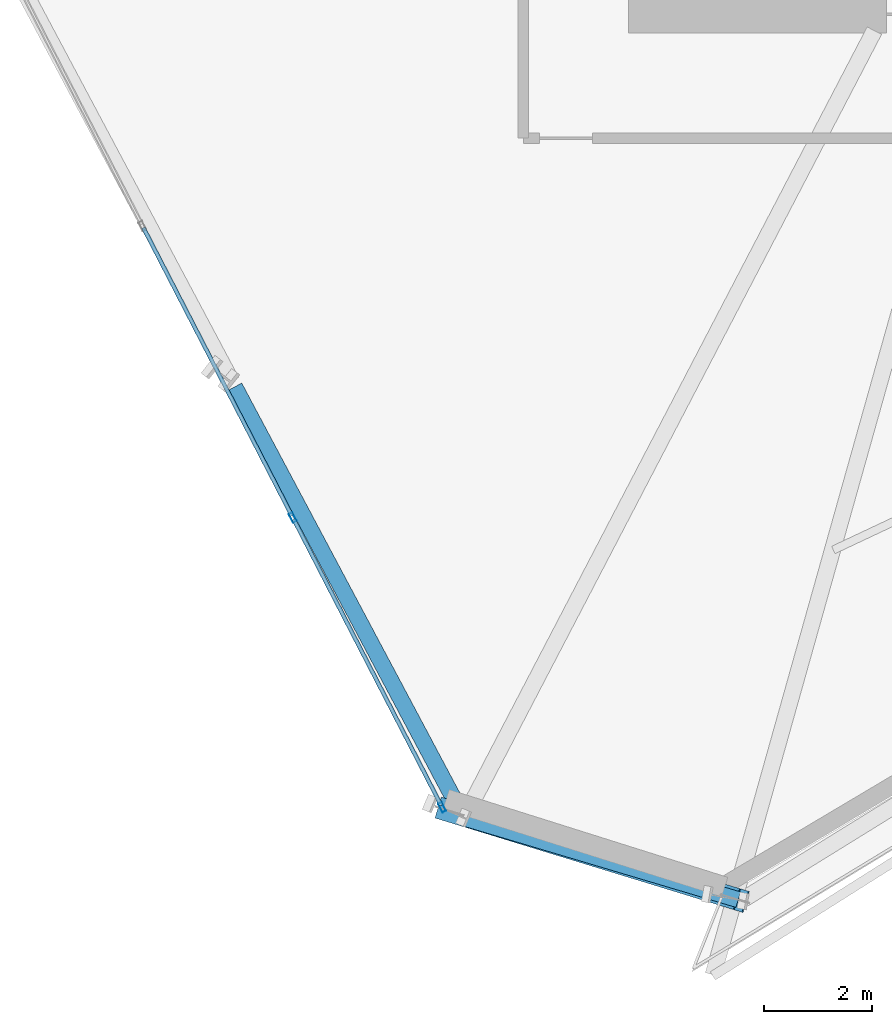
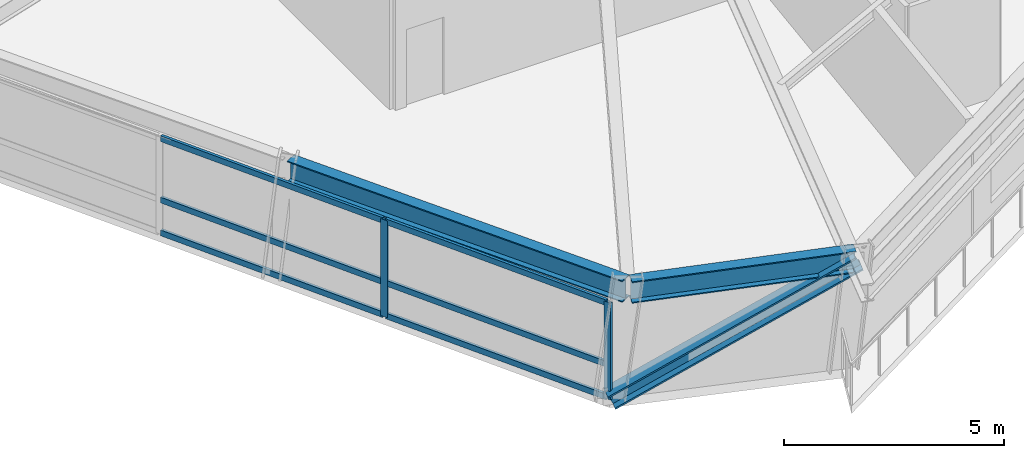
# One storey, part 2 of 19: 9 members, 2 beams, 1 element without a shape of its own.
"""IFC4 building model written with IfcOpenShell, lengths in metres."""

from ifc_helpers import new_model, si_unit, direction, frame, origin, origin_2d, place, context, subcontext, project, spatial, hollow_rectangle, i_section, extrude, source, transform, mapped, material, material_profile, profile_set, type_object, element, aggregate, save


model = new_model("IFC4")

# Units and contexts
model_context = context("Model", 3, precision=1e-05, world=origin(), true_north=direction((0.0, 1.0)))
body_context = subcontext(model_context, "Body", "Model", "MODEL_VIEW")
ifc_project = project(units=[si_unit("LENGTHUNIT", "METRE"), si_unit("AREAUNIT", "SQUARE_METRE"), si_unit("VOLUMEUNIT", "CUBIC_METRE"), si_unit("PLANEANGLEUNIT", "RADIAN"), si_unit("MASSUNIT", "GRAM", prefix="KILO")], contexts=[model_context])

# Site, building, storey
site_placement = place(None, origin())
site = spatial("IfcSite", under=ifc_project, at=site_placement, CompositionType="ELEMENT")
building_placement = place(site_placement, origin())
building = spatial("IfcBuilding", under=site, at=building_placement, Name="Olszyna Solenne Hotel", CompositionType="ELEMENT")
storey_placement = place(building_placement, frame((0.0, 0.0, 102.14990234375)))
storey = spatial("IfcBuildingStorey", under=building, at=storey_placement, Name="L26", CompositionType="ELEMENT", Elevation=102.14990234375)

# Beams
ifc_material_1 = material(Name="Steel S355J2", Category="steel")
ifc_material_profile_1 = material_profile(ifc_material_1, i_section(OverallWidth=0.300048828125, OverallDepth=0.60009765625, WebThickness=0.015380859375, FlangeThickness=0.030029296875, at=origin_2d()), Name="HEB 600", Category="load-bearing")
ifc_profile_set_1 = profile_set([ifc_material_profile_1], Name="Steel S355J2")
beam_type = type_object("IfcBeamType", Name="BM-S2", PredefinedType="BEAM", material=ifc_profile_set_1)
shared_shape_1 = source(origin(), body_context, "Body", "SweptSolid", [
    extrude(i_section(OverallWidth=0.300048828125, OverallDepth=0.60009765625, WebThickness=0.015380859375, FlangeThickness=0.030029296875, at=origin_2d()), origin(), (0.0, 0.0, 1.0), 8.990966796875),
])
beam_1_placement = place(storey_placement, frame((22.09765625, 12.240478515625, 3.0), z_axis=(0.469791744898, -0.882777274529, 0.0), x_axis=(0.882777274529, 0.469791744898, 0.0)))
element("IfcBeam", 1, at=beam_1_placement, inside=storey, type_object=beam_type, Name="Perimeter spandrel beam BM-S2 B-L26-0787", PredefinedType="BEAM", context=body_context, shape_type="MappedRepresentation", body=[
    mapped(shared_shape_1, transform((0.0, 0.0, 0.0), x_axis=(1.0, 0.0, 0.0), y_axis=(0.0, 1.0, 0.0), z_axis=(0.0, 0.0, 1.0), scale=1.0)),
])
shared_shape_2 = source(origin(), body_context, "Body", "SweptSolid", [
    extrude(i_section(OverallWidth=0.300048828125, OverallDepth=0.60009765625, WebThickness=0.015380859375, FlangeThickness=0.030029296875, at=origin_2d()), origin(), (0.0, 0.0, 1.0), 5.2451171875),
])
beam_2_placement = place(storey_placement, frame((26.4072265625, 4.2333984375, 3.0), z_axis=(0.958320630815, -0.28569488717, 0.0), x_axis=(0.28569488717, 0.958320630815, 0.0)))
element("IfcBeam", 2, at=beam_2_placement, inside=storey, type_object=beam_type, Name="Perimeter spandrel beam BM-S2 B-L26-0788", PredefinedType="BEAM", context=body_context, shape_type="MappedRepresentation", body=[
    mapped(shared_shape_2, transform((0.0, 0.0, 0.0), x_axis=(1.0, 0.0, 0.0), y_axis=(0.0, 1.0, 0.0), z_axis=(0.0, 0.0, 1.0), scale=1.0)),
])

# Member
ifc_material_2 = material(Name="Steel S460M", Category="steel")
ifc_material_profile_2 = material_profile(ifc_material_2, i_section(OverallWidth=0.406005859375, OverallDepth=0.416015625, WebThickness=0.026611328125, FlangeThickness=0.04150390625, at=origin_2d()), Name="HD 400x382", Category="load-bearing")
ifc_profile_set_2 = profile_set([ifc_material_profile_2], Name="Steel S460M")
member_type_1 = type_object("IfcMemberType", Name="BR-T2", PredefinedType="BRACE", material=ifc_profile_set_2)
shared_shape_3 = source(origin(), body_context, "Body", "SweptSolid", [
    extrude(i_section(OverallWidth=0.406005859375, OverallDepth=0.416015625, WebThickness=0.026611328125, FlangeThickness=0.04150390625, at=origin_2d()), origin(), (0.0, 0.0, 1.0), 6.498046875),
])
member_1_placement = place(storey_placement, frame((25.960693359375, 4.413818359375, 0.010009765625), z_axis=(0.8510905502, -0.261004107722, 0.455545531328), x_axis=(0.293193043288, 0.956053261784, 0.0)))
element("IfcMember", 3, at=member_1_placement, inside=storey, type_object=member_type_1, Name="Perimeter braced-tube diagonal BR-T2 BR-L26-3", PredefinedType="BRACE", context=body_context, shape_type="MappedRepresentation", body=[
    mapped(shared_shape_3, transform((0.0, 0.0, 0.0), x_axis=(1.0, 0.0, 0.0), y_axis=(0.0, 1.0, 0.0), z_axis=(0.0, 0.0, 1.0), scale=1.0)),
])

# Curtain wall, members
ifc_material_3 = material(Name="Anodised bronze aluminium", Category="aluminium")
curtain_wall_type = type_object("IfcCurtainWallType", Name="CW-SYS-3", PredefinedType="NOTDEFINED", material=ifc_material_3)
curtain_wall_placement = place(storey_placement, origin())
curtain_wall = element("IfcCurtainWall", 4, at=curtain_wall_placement, inside=storey, type_object=curtain_wall_type, Name="Unitised curtain wall CW-SYS-3 CW-L26-01", PredefinedType="NOTDEFINED")
ifc_material_profile_3 = material_profile(ifc_material_3, hollow_rectangle(XDim=0.074951171875, YDim=0.179931640625, WallThickness=0.00439453125, at=origin_2d()), Name="MULL 180x75x4.5", Category="load-bearing")
ifc_profile_set_3 = profile_set([ifc_material_profile_3], Name="Anodised bronze aluminium")
member_type_2 = type_object("IfcMemberType", Name="CW-M2", PredefinedType="MULLION", material=ifc_profile_set_3)
shared_shape_4 = source(origin(), body_context, "Body", "SweptSolid", [
    extrude(hollow_rectangle(XDim=0.074951171875, YDim=0.179931640625, WallThickness=0.00439453125, at=origin_2d()), origin(), (0.0, 0.0, 1.0), 2.692138671875),
])
member_2_placement = place(storey_placement, frame((23.174560546875, 9.81884765625, 0.0), z_axis=(0.0, 0.0, 1.0), x_axis=(0.888864979698, 0.458169234963, 0.0)))
member_2 = element("IfcMember", 5, at=member_2_placement, type_object=member_type_2, Name="Curtain-wall mullion CW-M2 CM-L26-01-03", PredefinedType="MULLION", context=body_context, shape_type="MappedRepresentation", body=[
    mapped(shared_shape_4, transform((0.0, 0.0, 0.0), x_axis=(1.0, 0.0, 0.0), y_axis=(0.0, 1.0, 0.0), z_axis=(0.0, 0.0, 1.0), scale=1.0)),
])
member_3_placement = place(storey_placement, frame((25.943603515625, 4.447021484375, 0.0), z_axis=(0.0, 0.0, 1.0), x_axis=(0.888864979698, 0.458169234963, 0.0)))
member_3 = element("IfcMember", 6, at=member_3_placement, type_object=member_type_2, Name="Curtain-wall mullion CW-M2 CM-L26-01-04", PredefinedType="MULLION", context=body_context, shape_type="MappedRepresentation", body=[
    mapped(shared_shape_4, transform((0.0, 0.0, 0.0), x_axis=(1.0, 0.0, 0.0), y_axis=(0.0, 1.0, 0.0), z_axis=(0.0, 0.0, 1.0), scale=1.0)),
])
ifc_material_profile_4 = material_profile(ifc_material_3, hollow_rectangle(XDim=0.074951171875, YDim=0.159912109375, WallThickness=0.00390625, at=origin_2d()), Name="TRAN 160x75x4", Category="load-bearing")
ifc_profile_set_4 = profile_set([ifc_material_profile_4], Name="Anodised bronze aluminium")
member_type_3 = type_object("IfcMemberType", Name="CW-T1", PredefinedType="USERDEFINED", material=ifc_profile_set_4)
shared_shape_5 = source(origin(), body_context, "Body", "SweptSolid", [
    extrude(hollow_rectangle(XDim=0.074951171875, YDim=0.159912109375, WallThickness=0.00390625, at=origin_2d()), origin(), (0.0, 0.0, 1.0), 6.005859375),
])
member_4_placement = place(storey_placement, frame((20.40576171875, 15.190673828125, 0.03759765625), z_axis=(0.458171717085, -0.888863700273, 0.0), x_axis=(0.888863700273, 0.458171717085, 0.0)))
member_4 = element("IfcMember", 7, at=member_4_placement, type_object=member_type_3, Name="Curtain-wall transom CW-T1 CT-L26-01-04", ObjectType="TRANSOM", PredefinedType="USERDEFINED", context=body_context, shape_type="MappedRepresentation", body=[
    mapped(shared_shape_5, transform((0.0, 0.0, 0.0), x_axis=(1.0, 0.0, 0.0), y_axis=(0.0, 1.0, 0.0), z_axis=(0.0, 0.0, 1.0), scale=1.0)),
])
member_5_placement = place(storey_placement, frame((20.40576171875, 15.190673828125, 0.9501953125), z_axis=(0.458171717085, -0.888863700273, 0.0), x_axis=(0.888863700273, 0.458171717085, 0.0)))
member_5 = element("IfcMember", 8, at=member_5_placement, type_object=member_type_3, Name="Curtain-wall transom CW-T1 CT-L26-01-05", ObjectType="TRANSOM", PredefinedType="USERDEFINED", context=body_context, shape_type="MappedRepresentation", body=[
    mapped(shared_shape_5, transform((0.0, 0.0, 0.0), x_axis=(1.0, 0.0, 0.0), y_axis=(0.0, 1.0, 0.0), z_axis=(0.0, 0.0, 1.0), scale=1.0)),
])
member_6_placement = place(storey_placement, frame((20.40576171875, 15.190673828125, 2.654541015625), z_axis=(0.458171717085, -0.888863700273, 0.0), x_axis=(0.888863700273, 0.458171717085, 0.0)))
member_6 = element("IfcMember", 9, at=member_6_placement, type_object=member_type_3, Name="Curtain-wall transom CW-T1 CT-L26-01-06", ObjectType="TRANSOM", PredefinedType="USERDEFINED", context=body_context, shape_type="MappedRepresentation", body=[
    mapped(shared_shape_5, transform((0.0, 0.0, 0.0), x_axis=(1.0, 0.0, 0.0), y_axis=(0.0, 1.0, 0.0), z_axis=(0.0, 0.0, 1.0), scale=1.0)),
])
shared_shape_6 = source(origin(), body_context, "Body", "SweptSolid", [
    extrude(hollow_rectangle(XDim=0.074951171875, YDim=0.159912109375, WallThickness=0.00390625, at=origin_2d()), origin(), (0.0, 0.0, 1.0), 5.968505859375),
])
member_7_placement = place(storey_placement, frame((23.19189453125, 9.78564453125, 0.03759765625), z_axis=(0.458175021899, -0.888861996773, 0.0), x_axis=(0.888861996773, 0.458175021899, 0.0)))
member_7 = element("IfcMember", 10, at=member_7_placement, type_object=member_type_3, Name="Curtain-wall transom CW-T1 CT-L26-01-07", ObjectType="TRANSOM", PredefinedType="USERDEFINED", context=body_context, shape_type="MappedRepresentation", body=[
    mapped(shared_shape_6, transform((0.0, 0.0, 0.0), x_axis=(1.0, 0.0, 0.0), y_axis=(0.0, 1.0, 0.0), z_axis=(0.0, 0.0, 1.0), scale=1.0)),
])
member_8_placement = place(storey_placement, frame((23.19189453125, 9.78564453125, 0.9501953125), z_axis=(0.458175021899, -0.888861996773, 0.0), x_axis=(0.888861996773, 0.458175021899, 0.0)))
member_8 = element("IfcMember", 11, at=member_8_placement, type_object=member_type_3, Name="Curtain-wall transom CW-T1 CT-L26-01-08", ObjectType="TRANSOM", PredefinedType="USERDEFINED", context=body_context, shape_type="MappedRepresentation", body=[
    mapped(shared_shape_6, transform((0.0, 0.0, 0.0), x_axis=(1.0, 0.0, 0.0), y_axis=(0.0, 1.0, 0.0), z_axis=(0.0, 0.0, 1.0), scale=1.0)),
])
member_9_placement = place(storey_placement, frame((23.19189453125, 9.78564453125, 2.654541015625), z_axis=(0.458175021899, -0.888861996773, 0.0), x_axis=(0.888861996773, 0.458175021899, 0.0)))
member_9 = element("IfcMember", 12, at=member_9_placement, type_object=member_type_3, Name="Curtain-wall transom CW-T1 CT-L26-01-09", ObjectType="TRANSOM", PredefinedType="USERDEFINED", context=body_context, shape_type="MappedRepresentation", body=[
    mapped(shared_shape_6, transform((0.0, 0.0, 0.0), x_axis=(1.0, 0.0, 0.0), y_axis=(0.0, 1.0, 0.0), z_axis=(0.0, 0.0, 1.0), scale=1.0)),
])
aggregate(curtain_wall, [member_2, member_3, member_4, member_5, member_6, member_7, member_8, member_9])

save(model, "model.ifc")
